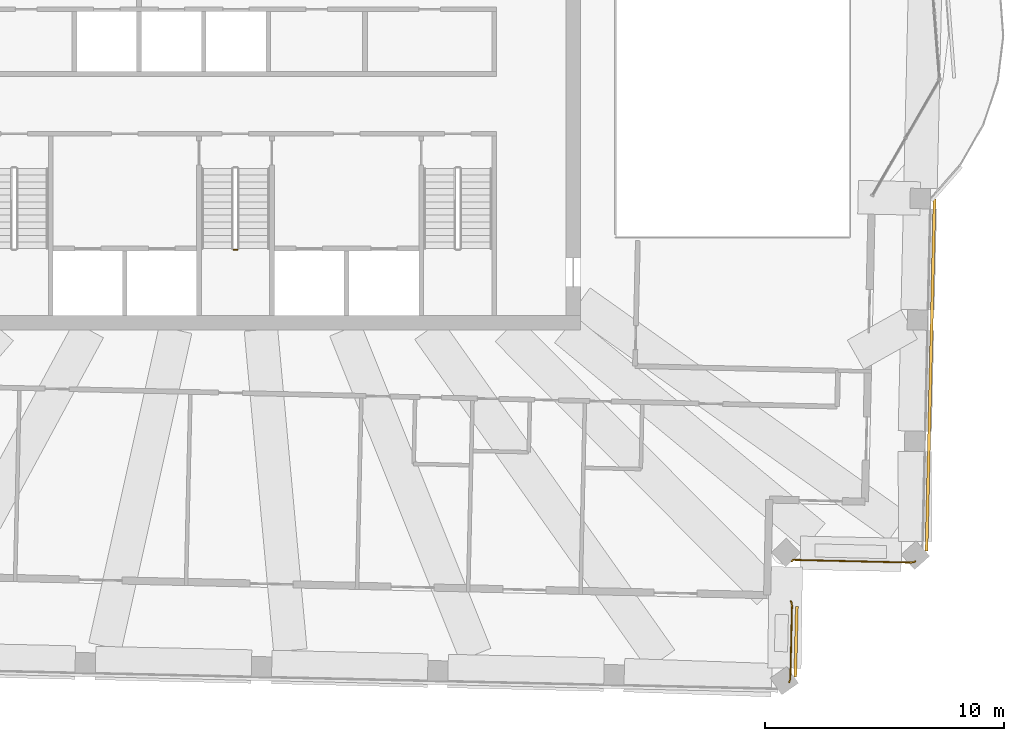
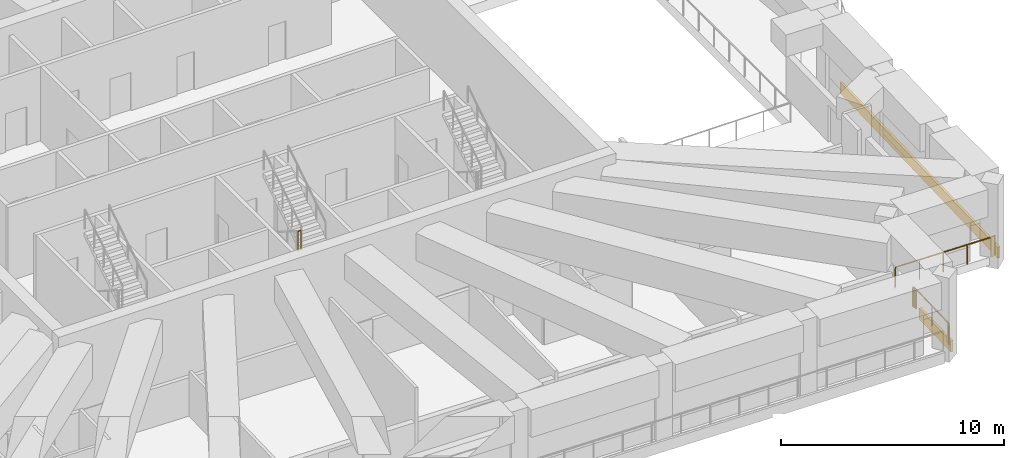
# One storey, part 17 of 21: 3 railings, 2 coverings.
"""IFC4 building model written with IfcOpenShell, lengths in metres."""

from ifc_helpers import new_model, si_unit, direction, frame, frame_2d, origin, origin_2d, place, context, subcontext, project, spatial, rectangle, extrude, material, layer, layer_set, type_object, element, save


model = new_model("IFC4")

# Units and contexts
model_context = context("Model", 3, precision=1e-05, world=origin(), true_north=direction((0.0, 1.0)))
body_context = subcontext(model_context, "Body", "Model", "MODEL_VIEW")
ifc_project = project(units=[si_unit("LENGTHUNIT", "METRE"), si_unit("AREAUNIT", "SQUARE_METRE"), si_unit("VOLUMEUNIT", "CUBIC_METRE"), si_unit("PLANEANGLEUNIT", "RADIAN"), si_unit("MASSUNIT", "GRAM", prefix="KILO")], contexts=[model_context])

# Site, building, storey
site_placement = place(None, origin())
site = spatial("IfcSite", under=ifc_project, at=site_placement, CompositionType="ELEMENT")
building_placement = place(site_placement, origin())
building = spatial("IfcBuilding", under=site, at=building_placement, Name="Mangrove Gate Tower", CompositionType="ELEMENT")
storey_placement = place(building_placement, frame((0.0, 0.0, 329.699951171875)))
storey = spatial("IfcBuildingStorey", under=building, at=storey_placement, Name="L84", CompositionType="ELEMENT", Elevation=329.699951171875)

# Railings
ifc_material_1 = material(Name="Stainless steel grade 316 with laminated glass infill", Category="steel")
railing_type_1 = type_object("IfcRailingType", Name="Balcony guard 1100", PredefinedType="GUARDRAIL", material=ifc_material_1)
railing_1_placement = place(storey_placement, frame((28.407958984375, -21.0869140625, 0.0)))
element("IfcRailing", 1, at=railing_1_placement, inside=storey, type_object=railing_type_1, Name="GUARD L84 T1.6", PredefinedType="GUARDRAIL", context=body_context, shape_type="SweptSolid", body=[
    extrude(rectangle(XDim=0.048095703125, YDim=0.048095703125, at=origin_2d()), frame((0.0, 0.0, 1.076171875), z_axis=(-0.914917801573, -0.403640206576, 0.0), x_axis=(0.403640206576, -0.914917801573, 0.0)), (0.0, 0.0, 1.0), 0.027099609375),
    extrude(rectangle(XDim=0.048095703125, YDim=0.048095703125, at=origin_2d()), frame((-0.02490234375, -0.010986328125, 1.076171875), z_axis=(-0.94620349056, -0.323572178119, 0.0), x_axis=(0.323572178119, -0.94620349056, 0.0)), (0.0, 0.0, 1.0), 0.0498046875),
    extrude(rectangle(XDim=0.048095703125, YDim=0.048095703125, at=origin_2d()), frame((-0.072021484375, -0.027099609375, 1.076171875), z_axis=(-0.97795124452, -0.208833338674, 0.0), x_axis=(0.208833338674, -0.97795124452, 0.0)), (0.0, 0.0, 1.0), 0.0478515625),
    extrude(rectangle(XDim=0.048095703125, YDim=0.048095703125, at=origin_2d()), frame((-0.118896484375, -0.037109375, 1.076171875), z_axis=(-0.992946793169, -0.118560811125, 0.0), x_axis=(0.118560811125, -0.992946793169, 0.0)), (0.0, 0.0, 1.0), 0.04931640625),
    extrude(rectangle(XDim=0.048095703125, YDim=0.048095703125, at=origin_2d()), frame((-0.16796875, -0.04296875, 1.076171875), z_axis=(-0.998999054412, -0.044731300944, 0.0), x_axis=(0.044731300944, -0.998999054412, 0.0)), (0.0, 0.0, 1.0), 0.049072265625),
    extrude(rectangle(XDim=0.048095703125, YDim=0.048095703125, at=origin_2d()), frame((-0.217041015625, -0.045166015625, 1.076171875), z_axis=(-0.999741758186, 0.022724808911, 0.0), x_axis=(-0.022724808911, -0.999741758186, 0.0)), (0.0, 0.0, 1.0), 4.88818359375),
    extrude(rectangle(XDim=0.048095703125, YDim=0.048095703125, at=origin_2d()), frame((-5.10400390625, 0.06591796875, 1.076171875), z_axis=(-1.0, 0.0, 0.0), x_axis=(0.0, -1.0, 0.0)), (0.0, 0.0, 1.0), 0.011962890625),
    extrude(rectangle(XDim=0.048095703125, YDim=0.048095703125, at=origin_2d()), frame((-5.115966796875, 0.06591796875, 1.076171875), z_axis=(-0.707106781187, -0.707106781187, 0.0), x_axis=(0.707106781187, -0.707106781187, 0.0)), (0.0, 0.0, 1.0), 0.00146484375),
    extrude(rectangle(XDim=0.048095703125, YDim=0.048095703125, at=origin_2d()), frame((-5.116943359375, 0.06494140625, 1.076171875), z_axis=(-0.652100218984, -0.758132774916, 0.0), x_axis=(0.758132774916, -0.652100218984, 0.0)), (0.0, 0.0, 1.0), 0.046142578125),
    extrude(rectangle(XDim=0.048095703125, YDim=0.048095703125, at=origin_2d()), frame((-5.14697265625, 0.030029296875, 1.076171875), z_axis=(-0.707106781187, -0.707106781187, 0.0), x_axis=(0.707106781187, -0.707106781187, 0.0)), (0.0, 0.0, 1.0), 0.0283203125),
    extrude(rectangle(XDim=0.0419921875, YDim=0.0419921875, at=origin_2d()), origin(), (0.0, 0.0, 1.0), 1.052001953125),
    extrude(rectangle(XDim=0.0419921875, YDim=0.0419921875, at=origin_2d()), frame((-0.02490234375, -0.010986328125, 0.0)), (0.0, 0.0, 1.0), 1.052001953125),
    extrude(rectangle(XDim=0.0419921875, YDim=0.0419921875, at=origin_2d()), frame((-0.072021484375, -0.027099609375, 0.0)), (0.0, 0.0, 1.0), 1.052001953125),
    extrude(rectangle(XDim=0.0419921875, YDim=0.0419921875, at=origin_2d()), frame((-0.118896484375, -0.037109375, 0.0)), (0.0, 0.0, 1.0), 1.052001953125),
    extrude(rectangle(XDim=0.0419921875, YDim=0.0419921875, at=origin_2d()), frame((-0.16796875, -0.04296875, 0.0)), (0.0, 0.0, 1.0), 1.052001953125),
    extrude(rectangle(XDim=0.0419921875, YDim=0.0419921875, at=origin_2d()), frame((-0.217041015625, -0.045166015625, 0.0)), (0.0, 0.0, 1.0), 1.052001953125),
    extrude(rectangle(XDim=0.0419921875, YDim=0.0419921875, at=origin_2d()), frame((-1.438720703125, -0.017333984375, 0.0)), (0.0, 0.0, 1.0), 1.052001953125),
    extrude(rectangle(XDim=0.0419921875, YDim=0.0419921875, at=origin_2d()), frame((-2.66064453125, 0.01025390625, 0.0)), (0.0, 0.0, 1.0), 1.052001953125),
    extrude(rectangle(XDim=0.0419921875, YDim=0.0419921875, at=origin_2d()), frame((-3.88232421875, 0.0380859375, 0.0)), (0.0, 0.0, 1.0), 1.052001953125),
    extrude(rectangle(XDim=0.0419921875, YDim=0.0419921875, at=origin_2d()), frame((-5.10400390625, 0.06591796875, 0.0)), (0.0, 0.0, 1.0), 1.052001953125),
    extrude(rectangle(XDim=0.0419921875, YDim=0.0419921875, at=origin_2d()), frame((-5.115966796875, 0.06591796875, 0.0)), (0.0, 0.0, 1.0), 1.052001953125),
    extrude(rectangle(XDim=0.0419921875, YDim=0.0419921875, at=origin_2d()), frame((-5.116943359375, 0.06494140625, 0.0)), (0.0, 0.0, 1.0), 1.052001953125),
    extrude(rectangle(XDim=0.0419921875, YDim=0.0419921875, at=origin_2d()), frame((-5.14697265625, 0.030029296875, 0.0)), (0.0, 0.0, 1.0), 1.052001953125),
    extrude(rectangle(XDim=0.0419921875, YDim=0.0419921875, at=origin_2d()), frame((-5.1669921875, 0.010009765625, 0.0)), (0.0, 0.0, 1.0), 1.052001953125),
])
railing_2_placement = place(storey_placement, frame((23.202880859375, -22.7509765625, 0.0)))
element("IfcRailing", 2, at=railing_2_placement, inside=storey, type_object=railing_type_1, Name="GUARD L84 T1.7", PredefinedType="GUARDRAIL", context=body_context, shape_type="SweptSolid", body=[
    extrude(rectangle(XDim=0.048095703125, YDim=0.048095703125, at=origin_2d()), frame((0.0, 0.0, 1.076171875), z_axis=(0.4145646121, -0.910019880219, 0.0), x_axis=(0.910019880219, 0.4145646121, 0.0)), (0.0, 0.0, 1.0), 0.024169921875),
    extrude(rectangle(XDim=0.048095703125, YDim=0.048095703125, at=origin_2d()), frame((0.010009765625, -0.02197265625, 1.076171875), z_axis=(0.317671360445, -0.948200878903, 0.0), x_axis=(0.948200878903, 0.317671360445, 0.0)), (0.0, 0.0, 1.0), 0.05078125),
    extrude(rectangle(XDim=0.048095703125, YDim=0.048095703125, at=origin_2d()), frame((0.026123046875, -0.070068359375, 1.076171875), z_axis=(0.223769850009, -0.974642013371, 0.0), x_axis=(0.974642013371, 0.223769850009, 0.0)), (0.0, 0.0, 1.0), 0.049072265625),
    extrude(rectangle(XDim=0.048095703125, YDim=0.048095703125, at=origin_2d()), frame((0.037109375, -0.117919921875, 1.076171875), z_axis=(0.121054375311, -0.992645877551, 0.0), x_axis=(0.992645877551, 0.121054375311, 0.0)), (0.0, 0.0, 1.0), 0.050537109375),
    extrude(rectangle(XDim=0.048095703125, YDim=0.048095703125, at=origin_2d()), frame((0.043212890625, -0.16796875, 1.076171875), z_axis=(0.03899470896, -0.999239417093, 0.0), x_axis=(0.999239417093, 0.03899470896, 0.0)), (0.0, 0.0, 1.0), 0.050048828125),
    extrude(rectangle(XDim=0.048095703125, YDim=0.048095703125, at=origin_2d()), frame((0.045166015625, -0.218017578125, 1.076171875), z_axis=(-0.022753356364, -0.999741108875, 0.0), x_axis=(0.999741108875, -0.022753356364, 0.0)), (0.0, 0.0, 1.0), 2.95068359375),
    extrude(rectangle(XDim=0.048095703125, YDim=0.048095703125, at=origin_2d()), frame((-0.02197265625, -3.16796875, 1.076171875), z_axis=(-0.079350984209, -0.996846739125, 0.0), x_axis=(0.996846739125, -0.079350984209, 0.0)), (0.0, 0.0, 1.0), 0.04931640625),
    extrude(rectangle(XDim=0.048095703125, YDim=0.048095703125, at=origin_2d()), frame((-0.02587890625, -3.217041015625, 1.076171875), z_axis=(-0.162010149383, -0.986789091699, 0.0), x_axis=(0.986789091699, -0.162010149383, 0.0)), (0.0, 0.0, 1.0), 0.0498046875),
    extrude(rectangle(XDim=0.048095703125, YDim=0.048095703125, at=origin_2d()), frame((-0.033935546875, -3.26611328125, 1.076171875), z_axis=(-0.266089874363, -0.963948224108, 0.0), x_axis=(0.963948224108, -0.266089874363, 0.0)), (0.0, 0.0, 1.0), 0.048583984375),
    extrude(rectangle(XDim=0.048095703125, YDim=0.048095703125, at=origin_2d()), frame((-0.046875, -3.31298828125, 1.076171875), z_axis=(-0.347314355824, -0.937748760724, 0.0), x_axis=(0.937748760724, -0.347314355824, 0.0)), (0.0, 0.0, 1.0), 0.04931640625),
    extrude(rectangle(XDim=0.048095703125, YDim=0.048095703125, at=origin_2d()), frame((-0.06396484375, -3.359130859375, 1.076171875), z_axis=(-0.461078797779, -0.887359195726, 0.0), x_axis=(0.887359195726, -0.461078797779, 0.0)), (0.0, 0.0, 1.0), 0.028076171875),
    extrude(rectangle(XDim=0.0419921875, YDim=0.0419921875, at=origin_2d()), origin(), (0.0, 0.0, 1.0), 1.052001953125),
    extrude(rectangle(XDim=0.0419921875, YDim=0.0419921875, at=origin_2d()), frame((0.010009765625, -0.02197265625, 0.0)), (0.0, 0.0, 1.0), 1.052001953125),
    extrude(rectangle(XDim=0.0419921875, YDim=0.0419921875, at=origin_2d()), frame((0.026123046875, -0.070068359375, 0.0)), (0.0, 0.0, 1.0), 1.052001953125),
    extrude(rectangle(XDim=0.0419921875, YDim=0.0419921875, at=origin_2d()), frame((0.037109375, -0.117919921875, 0.0)), (0.0, 0.0, 1.0), 1.052001953125),
    extrude(rectangle(XDim=0.0419921875, YDim=0.0419921875, at=origin_2d()), frame((0.043212890625, -0.16796875, 0.0)), (0.0, 0.0, 1.0), 1.052001953125),
    extrude(rectangle(XDim=0.0419921875, YDim=0.0419921875, at=origin_2d()), frame((0.045166015625, -0.218017578125, 0.0)), (0.0, 0.0, 1.0), 1.052001953125),
    extrude(rectangle(XDim=0.0419921875, YDim=0.0419921875, at=origin_2d()), frame((0.01171875, -1.69287109375, 0.0)), (0.0, 0.0, 1.0), 1.052001953125),
    extrude(rectangle(XDim=0.0419921875, YDim=0.0419921875, at=origin_2d()), frame((-0.02197265625, -3.16796875, 0.0)), (0.0, 0.0, 1.0), 1.052001953125),
    extrude(rectangle(XDim=0.0419921875, YDim=0.0419921875, at=origin_2d()), frame((-0.02587890625, -3.217041015625, 0.0)), (0.0, 0.0, 1.0), 1.052001953125),
    extrude(rectangle(XDim=0.0419921875, YDim=0.0419921875, at=origin_2d()), frame((-0.033935546875, -3.26611328125, 0.0)), (0.0, 0.0, 1.0), 1.052001953125),
    extrude(rectangle(XDim=0.0419921875, YDim=0.0419921875, at=origin_2d()), frame((-0.046875, -3.31298828125, 0.0)), (0.0, 0.0, 1.0), 1.052001953125),
    extrude(rectangle(XDim=0.0419921875, YDim=0.0419921875, at=origin_2d()), frame((-0.06396484375, -3.359130859375, 0.0)), (0.0, 0.0, 1.0), 1.052001953125),
    extrude(rectangle(XDim=0.0419921875, YDim=0.0419921875, at=origin_2d()), frame((-0.076904296875, -3.384033203125, 0.0)), (0.0, 0.0, 1.0), 1.052001953125),
])
ifc_material_2 = material(Name="Stainless steel 316", Category="steel")
railing_type_2 = type_object("IfcRailingType", Name="Core stair guard 1100", PredefinedType="GUARDRAIL", material=ifc_material_2)
railing_3_placement = place(storey_placement, frame((-0.10009765625, -8.06005859375, 2.300048828125)))
element("IfcRailing", 3, at=railing_3_placement, inside=storey, type_object=railing_type_2, Name="L84 ST2 stair guard 2", PredefinedType="GUARDRAIL", context=body_context, shape_type="SweptSolid", body=[
    extrude(rectangle(XDim=0.048095703125, YDim=0.048095703125, at=origin_2d()), frame((0.0, 0.0, 1.076171875), z_axis=(1.0, 0.0, 0.0), x_axis=(0.0, 1.0, 0.0)), (0.0, 0.0, 1.0), 0.150146484375),
    extrude(rectangle(XDim=0.0419921875, YDim=0.0419921875, at=origin_2d()), origin(), (0.0, 0.0, 1.0), 1.052001953125),
    extrude(rectangle(XDim=0.0419921875, YDim=0.0419921875, at=origin_2d()), frame((0.150146484375, 0.0, 0.0)), (0.0, 0.0, 1.0), 1.052001953125),
])

# Coverings
ifc_material_3 = material(Name="Limestone", Category="masonry")
ifc_layer_1 = layer(ifc_material_3, 0.0400390625, Name="Limestone cladding")
ifc_material_4 = material(Name="Stainless steel anchors and cavity", Category="steel")
ifc_layer_2 = layer(ifc_material_4, 0.080078125, Name="Fixing cavity")
ifc_layer_set = layer_set([ifc_layer_1, ifc_layer_2], Name="Joint fascia cladding 120")
covering_type = type_object("IfcCoveringType", Name="Joint fascia cladding 120", PredefinedType="CLADDING", material=ifc_layer_set)
covering_1_placement = place(storey_placement, frame((29.2080078125, -5.93896484375, -0.599853515625), z_axis=(0.0, 0.0, 1.0), x_axis=(-0.022701803337, -0.999742280853, 0.0)))
element("IfcCovering", 4, at=covering_1_placement, inside=storey, type_object=covering_type, Name="STONE FASCIA L84 TB111-5.4", PredefinedType="CLADDING", context=body_context, shape_type="SweptSolid", body=[
    extrude(rectangle(XDim=14.7119140625, YDim=0.1201171875, at=frame_2d((7.35595703125, 0.0))), origin(), (0.0, 0.0, 1.0), 0.599853515625),
])
covering_2_placement = place(storey_placement, frame((23.451904296875, -22.97412109375, -0.599853515625), z_axis=(0.0, 0.0, 1.0), x_axis=(-0.022670659488, -0.999742987571, 0.0)))
element("IfcCovering", 5, at=covering_2_placement, inside=storey, type_object=covering_type, Name="STONE FASCIA L84 TB111-7.1", PredefinedType="CLADDING", context=body_context, shape_type="SweptSolid", body=[
    extrude(rectangle(XDim=2.95068359375, YDim=0.1201171875, at=frame_2d((1.475341796875, 0.0))), origin(), (0.0, 0.0, 1.0), 0.599853515625),
])

save(model, "model.ifc")
